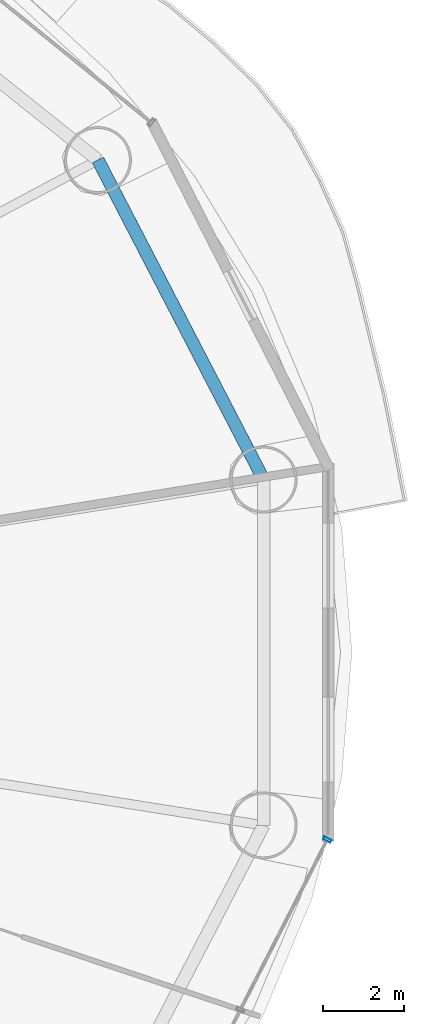
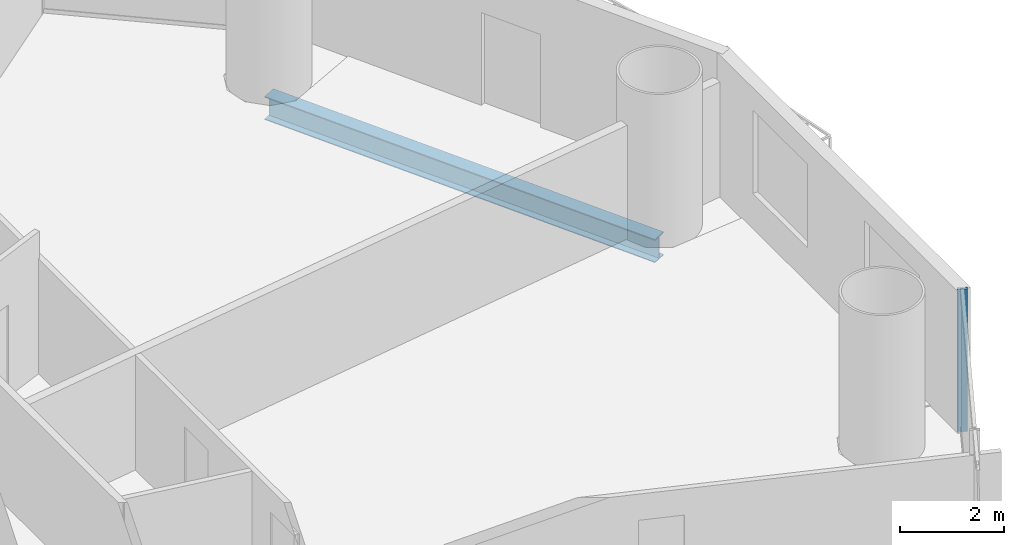
# One storey, part 12 of 28: 1 beam, 1 member, 1 element without a shape of its own.
"""IFC4 building model written with IfcOpenShell, lengths in metres."""

from ifc_helpers import new_model, si_unit, direction, frame, origin, origin_2d, place, context, subcontext, project, spatial, hollow_rectangle, i_section, extrude, source, transform, mapped, material, material_profile, profile_set, type_object, element, aggregate, save


model = new_model("IFC4")

# Units and contexts
model_context = context("Model", 3, precision=1e-05, world=origin(), true_north=direction((-0.2419218956, 0.970295726276)))
body_context = subcontext(model_context, "Body", "Model", "MODEL_VIEW")
ifc_project = project(units=[si_unit("LENGTHUNIT", "METRE"), si_unit("AREAUNIT", "SQUARE_METRE"), si_unit("VOLUMEUNIT", "CUBIC_METRE"), si_unit("PLANEANGLEUNIT", "RADIAN"), si_unit("MASSUNIT", "GRAM", prefix="KILO")], contexts=[model_context])

# Site, building, storey
site_placement = place(None, origin())
site = spatial("IfcSite", under=ifc_project, at=site_placement, CompositionType="ELEMENT")
building_placement = place(site_placement, origin())
building = spatial("IfcBuilding", under=site, at=building_placement, Name="Cobrevalo Terracotta Tower", CompositionType="ELEMENT")
storey_placement = place(building_placement, frame((0.0, 0.0, 38.39990234375)))
storey = spatial("IfcBuildingStorey", under=building, at=storey_placement, Name="L09", CompositionType="ELEMENT", Elevation=38.39990234375)

# Beam
ifc_material_1 = material(Name="Steel S355", Category="steel")
ifc_material_profile_1 = material_profile(ifc_material_1, i_section(OverallWidth=0.31201171875, OverallDepth=0.54296875, WebThickness=0.0126953125, FlangeThickness=0.020263671875, at=origin_2d()), Name="W 530x150")
ifc_profile_set_1 = profile_set([ifc_material_profile_1], Name="Steel S355")
beam_type = type_object("IfcBeamType", Name="Structural Spandrel W 530x150 (Steel S355)", PredefinedType="SPANDREL", material=ifc_profile_set_1)
beam_placement = place(storey_placement, frame((64.824462890625, 31.062744140625, -0.551513671875), z_axis=(-0.460285838799, 0.88777077368, 0.0), x_axis=(-0.88777077368, -0.460285838799, 0.0)))
element("IfcBeam", 1, at=beam_placement, inside=storey, type_object=beam_type, Name="L09 perimeter ring spandrel 01", PredefinedType="SPANDREL", context=body_context, shape_type="SweptSolid", body=[
    extrude(i_section(OverallWidth=0.31201171875, OverallDepth=0.54296875, WebThickness=0.0126953125, FlangeThickness=0.020263671875, at=origin_2d()), origin(), (0.0, 0.0, 1.0), 8.8720703125),
])

# Curtain wall, member
ifc_material_2 = material(Name="Anodized aluminium", Category="aluminium")
curtain_wall_type = type_object("IfcCurtainWallType", Name="Lower-tower unitised acoustic low-E curtain wall CW-U1", PredefinedType="NOTDEFINED", material=ifc_material_2)
curtain_wall_placement = place(storey_placement, origin())
curtain_wall = element("IfcCurtainWall", 2, at=curtain_wall_placement, inside=storey, type_object=curtain_wall_type, Name="L09 curtain wall CW-L09-S15", PredefinedType="NOTDEFINED")
ifc_material_profile_2 = material_profile(ifc_material_2, hollow_rectangle(XDim=0.074951171875, YDim=0.199951171875, WallThickness=0.0048828125, at=origin_2d()), Name="CWM 75x200")
ifc_profile_set_2 = profile_set([ifc_material_profile_2], Name="Anodized aluminium")
member_type = type_object("IfcMemberType", Name="Lower/mid tower unitised mullion 75x200", PredefinedType="MULLION", material=ifc_profile_set_2)
shared_shape = source(origin(), body_context, "Body", "SweptSolid", [
    extrude(hollow_rectangle(XDim=0.074951171875, YDim=0.199951171875, WallThickness=0.0048828125, at=origin_2d()), origin(), (0.0, 0.0, 1.0), 3.320068359375),
])
member_placement = place(storey_placement, frame((66.39501953125, 22.185546875, 0.0), z_axis=(0.0, 0.0, 1.0), x_axis=(0.455234136597, 0.890371765543, 0.0)))
member = element("IfcMember", 3, at=member_placement, type_object=member_type, Name="CW-L09-S15 vertical mullion 03", PredefinedType="MULLION", context=body_context, shape_type="MappedRepresentation", body=[
    mapped(shared_shape, transform((0.0, 0.0, 0.0), scale=1.0)),
])
aggregate(curtain_wall, [member])

save(model, "model.ifc")
